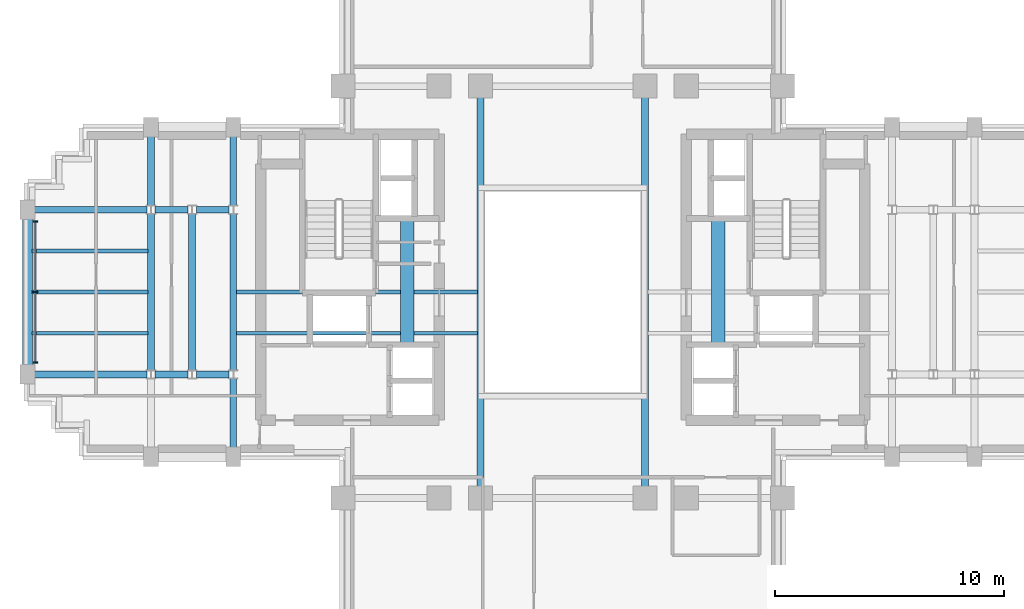
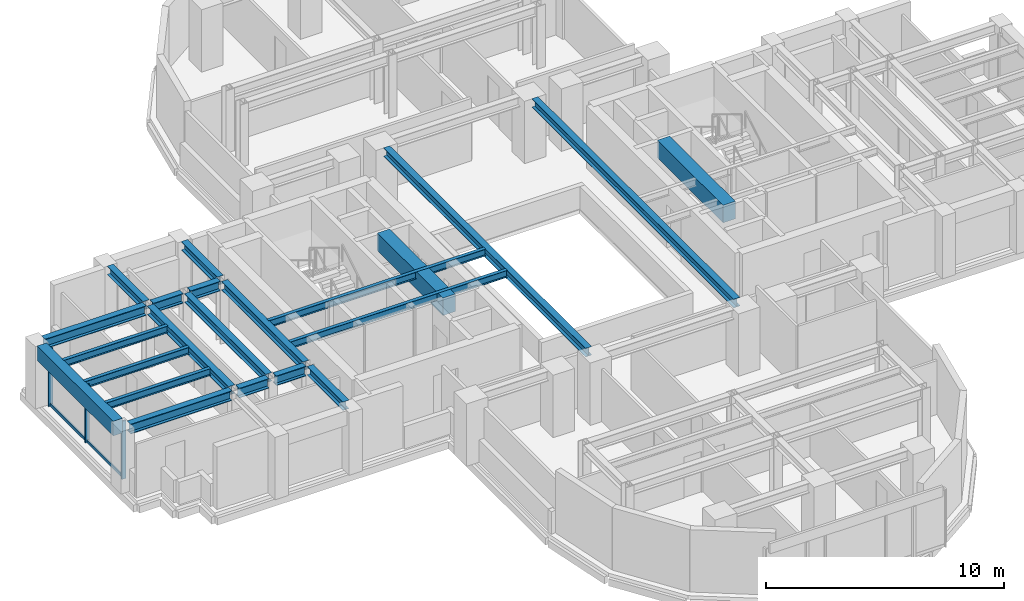
# One storey, part 4 of 14: 22 beams, 5 members, 1 element without a shape of its own.
"""IFC4 building model written with IfcOpenShell, lengths in metres."""

from ifc_helpers import new_model, si_unit, direction, frame, origin, origin_2d, place, context, subcontext, project, spatial, rectangle, i_section, extrude, source, transform, mapped, material, material_profile, profile_set, type_object, element, aggregate, save


model = new_model("IFC4")

# Units and contexts
model_context = context("Model", 3, precision=1e-05, world=origin(), true_north=direction((0.0, 1.0)))
body_context = subcontext(model_context, "Body", "Model", "MODEL_VIEW")
ifc_project = project(units=[si_unit("LENGTHUNIT", "METRE"), si_unit("AREAUNIT", "SQUARE_METRE"), si_unit("VOLUMEUNIT", "CUBIC_METRE"), si_unit("PLANEANGLEUNIT", "RADIAN"), si_unit("MASSUNIT", "GRAM", prefix="KILO")], contexts=[model_context])

# Site, building, storey
site_placement = place(None, origin())
site = spatial("IfcSite", under=ifc_project, at=site_placement, CompositionType="ELEMENT")
building_placement = place(site_placement, origin())
building = spatial("IfcBuilding", under=site, at=building_placement, Name="Keilestroom Media Tower", CompositionType="ELEMENT")
storey_placement = place(building_placement, frame((0.0, 0.0, 117.60009765625)))
storey = spatial("IfcBuildingStorey", under=building, at=storey_placement, Name="L31", CompositionType="ELEMENT", Elevation=117.60009765625)

# Beams
ifc_material_1 = material(Name="Concrete C70/85", Category="concrete")
ifc_material_profile_1 = material_profile(ifc_material_1, rectangle(XDim=0.60009765625, YDim=0.89990234375, at=origin_2d()), Name="RC 600x900")
ifc_profile_set_1 = profile_set([ifc_material_profile_1], Name="Concrete C70/85")
beam_type_1 = type_object("IfcBeamType", Name="Core-Coupling-Lintel-Beam-RC-600x900", PredefinedType="LINTEL", material=ifc_profile_set_1)
shared_shape_1 = source(origin(), body_context, "Body", "SweptSolid", [
    extrude(rectangle(XDim=0.60009765625, YDim=0.89990234375, at=origin_2d()), origin(), (0.0, 0.0, 1.0), 5.52001953125),
])
for number, where, z_axis, x_axis, name in (
    (1, (-6.800048828125, -2.300048828125, 2.75), (0.0, 1.0, 0.0), (-1.0, 0.0, 0.0), "L31 Beam CLB-1 CLB-L31-W"),
    (2, (6.800048828125, -2.300048828125, 2.75), (0.0, 1.0, 0.0), (-1.0, 0.0, 0.0), "L31 Beam CLB-1 CLB-L31-E"),
):
    element("IfcBeam", number, at=place(storey_placement, frame(where, z_axis=z_axis, x_axis=x_axis)), inside=storey, type_object=beam_type_1, Name=name, PredefinedType="LINTEL", context=body_context, shape_type="MappedRepresentation", body=[
        mapped(shared_shape_1, transform((0.0, 0.0, 0.0), x_axis=(1.0, 0.0, 0.0), y_axis=(0.0, 1.0, 0.0), z_axis=(0.0, 0.0, 1.0), scale=1.0)),
    ])
ifc_material_2 = material(Name="Steel S355", Category="steel")
ifc_material_profile_2 = material_profile(ifc_material_2, i_section(OverallWidth=0.169921875, OverallDepth=0.360107421875, WebThickness=0.008056640625, FlangeThickness=0.0126953125, at=origin_2d()), Name="IPE 360")
ifc_profile_set_2 = profile_set([ifc_material_profile_2], Name="Steel S355")
beam_type_2 = type_object("IfcBeamType", Name="Secondary-Floor-Joist-IPE-360", PredefinedType="JOIST", material=ifc_profile_set_2)
shared_shape_2 = source(origin(), body_context, "Body", "SweptSolid", [
    extrude(i_section(OverallWidth=0.169921875, OverallDepth=0.360107421875, WebThickness=0.008056640625, FlangeThickness=0.0126953125, at=origin_2d()), origin(), (0.0, 0.0, 1.0), 10.5400390625),
])
for number, where, z_axis, x_axis, name in (
    (3, (-14.27001953125, -1.800048828125, 3.02001953125), (1.0, 0.0, 0.0), (0.0, 1.0, 0.0), "L31 Beam BJ-5 JST-L31-072"),
    (4, (-14.27001953125, 0.0, 3.02001953125), (1.0, 0.0, 0.0), (0.0, 1.0, 0.0), "L31 Beam BJ-5 JST-L31-077"),
):
    element("IfcBeam", number, at=place(storey_placement, frame(where, z_axis=z_axis, x_axis=x_axis)), inside=storey, type_object=beam_type_2, Name=name, PredefinedType="JOIST", context=body_context, shape_type="MappedRepresentation", body=[
        mapped(shared_shape_2, transform((0.0, 0.0, 0.0), x_axis=(1.0, 0.0, 0.0), y_axis=(0.0, 1.0, 0.0), z_axis=(0.0, 0.0, 1.0), scale=1.0)),
    ])
ifc_material_profile_3 = material_profile(ifc_material_2, i_section(OverallWidth=0.300048828125, OverallDepth=0.5, WebThickness=0.012451171875, FlangeThickness=0.028076171875, at=origin_2d()), Name="HEB 500")
ifc_profile_set_3 = profile_set([ifc_material_profile_3], Name="Steel S355")
beam_type_3 = type_object("IfcBeamType", Name="Primary-Structural-Girder-HEB-500", PredefinedType="BEAM", material=ifc_profile_set_3)
shared_shape_3 = source(origin(), body_context, "Body", "SweptSolid", [
    extrude(i_section(OverallWidth=0.300048828125, OverallDepth=0.5, WebThickness=0.012451171875, FlangeThickness=0.028076171875, at=origin_2d()), origin(), (0.0, 0.0, 1.0), 4.91455078125),
])
for number, where, z_axis, x_axis, name in (
    (5, (-23.094970703125, -3.60009765625, 2.949951171875), (1.0, 0.0, 0.0), (0.0, 1.0, 0.0), "L31 Beam BG-6 BM-L31-EW-014"),
    (6, (-23.094970703125, 3.60009765625, 2.949951171875), (1.0, 0.0, 0.0), (0.0, 1.0, 0.0), "L31 Beam BG-6 BM-L31-EW-020"),
):
    element("IfcBeam", number, at=place(storey_placement, frame(where, z_axis=z_axis, x_axis=x_axis)), inside=storey, type_object=beam_type_3, Name=name, PredefinedType="BEAM", context=body_context, shape_type="MappedRepresentation", body=[
        mapped(shared_shape_3, transform((0.0, 0.0, 0.0), x_axis=(1.0, 0.0, 0.0), y_axis=(0.0, 1.0, 0.0), z_axis=(0.0, 0.0, 1.0), scale=1.0)),
    ])
shared_shape_4 = source(origin(), body_context, "Body", "SweptSolid", [
    extrude(i_section(OverallWidth=0.300048828125, OverallDepth=0.5, WebThickness=0.012451171875, FlangeThickness=0.028076171875, at=origin_2d()), origin(), (0.0, 0.0, 1.0), 1.43896484375),
])
for number, where, z_axis, x_axis, name in (
    (7, (-17.819580078125, -3.60009765625, 2.949951171875), (1.0, 0.0, 0.0), (0.0, 1.0, 0.0), "L31 Beam BG-6 BM-L31-EW-015"),
    (8, (-16.01953125, -3.60009765625, 2.949951171875), (1.0, 0.0, 0.0), (0.0, 1.0, 0.0), "L31 Beam BG-6 BM-L31-EW-016"),
    (9, (-17.819580078125, 3.60009765625, 2.949951171875), (1.0, 0.0, 0.0), (0.0, 1.0, 0.0), "L31 Beam BG-6 BM-L31-EW-021"),
    (10, (-16.01953125, 3.60009765625, 2.949951171875), (1.0, 0.0, 0.0), (0.0, 1.0, 0.0), "L31 Beam BG-6 BM-L31-EW-022"),
):
    element("IfcBeam", number, at=place(storey_placement, frame(where, z_axis=z_axis, x_axis=x_axis)), inside=storey, type_object=beam_type_3, Name=name, PredefinedType="BEAM", context=body_context, shape_type="MappedRepresentation", body=[
        mapped(shared_shape_4, transform((0.0, 0.0, 0.0), x_axis=(1.0, 0.0, 0.0), y_axis=(0.0, 1.0, 0.0), z_axis=(0.0, 0.0, 1.0), scale=1.0)),
    ])
ifc_material_3 = material(Name="Precast concrete C40/50", Category="concrete")
ifc_material_profile_4 = material_profile(ifc_material_3, rectangle(XDim=0.449951171875, YDim=0.75, at=origin_2d()), Name="PC 450x750")
ifc_profile_set_4 = profile_set([ifc_material_profile_4], Name="Precast concrete C40/50")
beam_type_4 = type_object("IfcBeamType", Name="Perimeter-Spandrel-Beam-PC-450x750", PredefinedType="SPANDREL", material=ifc_profile_set_4)
shared_shape_5 = source(origin(), body_context, "Body", "SweptSolid", [
    extrude(rectangle(XDim=0.449951171875, YDim=0.75, at=origin_2d()), origin(), (0.0, 0.0, 1.0), 6.39013671875),
])
beam_placement = place(storey_placement, frame((-23.39990234375, -3.195068359375, 2.824951171875), z_axis=(0.0, 1.0, 0.0), x_axis=(-1.0, 0.0, 0.0)))
element("IfcBeam", 11, at=beam_placement, inside=storey, type_object=beam_type_4, Name="L31 Beam SPB-1 BM-L31-NS-039", PredefinedType="SPANDREL", context=body_context, shape_type="MappedRepresentation", body=[
    mapped(shared_shape_5, transform((0.0, 0.0, 0.0), x_axis=(1.0, 0.0, 0.0), y_axis=(0.0, 1.0, 0.0), z_axis=(0.0, 0.0, 1.0), scale=1.0)),
])
shared_shape_6 = source(origin(), body_context, "Body", "SweptSolid", [
    extrude(i_section(OverallWidth=0.169921875, OverallDepth=0.360107421875, WebThickness=0.008056640625, FlangeThickness=0.0126953125, at=origin_2d()), origin(), (0.0, 0.0, 1.0), 5.065185546875),
])
for number, where, z_axis, x_axis, name in (
    (12, (-23.195068359375, -1.800048828125, 3.02001953125), (1.0, 0.0, 0.0), (0.0, 1.0, 0.0), "L31 Beam BJ-5 JST-L31-071"),
    (13, (-23.195068359375, 0.0, 3.02001953125), (1.0, 0.0, 0.0), (0.0, 1.0, 0.0), "L31 Beam BJ-5 JST-L31-076"),
    (14, (-23.195068359375, 1.800048828125, 3.02001953125), (1.0, 0.0, 0.0), (0.0, 1.0, 0.0), "L31 Beam BJ-5 JST-L31-081"),
):
    element("IfcBeam", number, at=place(storey_placement, frame(where, z_axis=z_axis, x_axis=x_axis)), inside=storey, type_object=beam_type_2, Name=name, PredefinedType="JOIST", context=body_context, shape_type="MappedRepresentation", body=[
        mapped(shared_shape_6, transform((0.0, 0.0, 0.0), x_axis=(1.0, 0.0, 0.0), y_axis=(0.0, 1.0, 0.0), z_axis=(0.0, 0.0, 1.0), scale=1.0)),
    ])
ifc_material_profile_5 = material_profile(ifc_material_2, i_section(OverallWidth=0.300048828125, OverallDepth=0.43994140625, WebThickness=0.011474609375, FlangeThickness=0.02099609375, at=origin_2d()), Name="HEA 450")
ifc_profile_set_5 = profile_set([ifc_material_profile_5], Name="Steel S355")
beam_type_5 = type_object("IfcBeamType", Name="Primary-Structural-Girder-HEA-450", PredefinedType="BEAM", material=ifc_profile_set_5)
shared_shape_7 = source(origin(), body_context, "Body", "SweptSolid", [
    extrude(i_section(OverallWidth=0.300048828125, OverallDepth=0.43994140625, WebThickness=0.011474609375, FlangeThickness=0.02099609375, at=origin_2d()), origin(), (0.0, 0.0, 1.0), 3.015380859375),
])
for number, where, z_axis, x_axis, name in (
    (15, (-18.0, 3.779541015625, 2.97998046875), (0.0, 1.0, 0.0), (-1.0, 0.0, 0.0), "L31 Beam BG-11 BM-L31-NS-042"),
    (16, (-14.39990234375, -6.794921875, 2.97998046875), (0.0, 1.0, 0.0), (-1.0, 0.0, 0.0), "L31 Beam BG-11 BM-L31-NS-044"),
    (17, (-14.39990234375, 3.779541015625, 2.97998046875), (0.0, 1.0, 0.0), (-1.0, 0.0, 0.0), "L31 Beam BG-11 BM-L31-NS-046"),
):
    element("IfcBeam", number, at=place(storey_placement, frame(where, z_axis=z_axis, x_axis=x_axis)), inside=storey, type_object=beam_type_5, Name=name, PredefinedType="BEAM", context=body_context, shape_type="MappedRepresentation", body=[
        mapped(shared_shape_7, transform((0.0, 0.0, 0.0), x_axis=(1.0, 0.0, 0.0), y_axis=(0.0, 1.0, 0.0), z_axis=(0.0, 0.0, 1.0), scale=1.0)),
    ])
shared_shape_8 = source(origin(), body_context, "Body", "SweptSolid", [
    extrude(i_section(OverallWidth=0.300048828125, OverallDepth=0.43994140625, WebThickness=0.011474609375, FlangeThickness=0.02099609375, at=origin_2d()), origin(), (0.0, 0.0, 1.0), 6.8408203125),
])
for number, where, z_axis, x_axis, name in (
    (18, (-18.0, -3.42041015625, 2.97998046875), (0.0, 1.0, 0.0), (-1.0, 0.0, 0.0), "L31 Beam BG-11 BM-L31-NS-041"),
    (19, (-16.199951171875, -3.42041015625, 2.97998046875), (0.0, 1.0, 0.0), (-1.0, 0.0, 0.0), "L31 Beam BG-11 BM-L31-NS-043"),
    (20, (-14.39990234375, -3.42041015625, 2.97998046875), (0.0, 1.0, 0.0), (-1.0, 0.0, 0.0), "L31 Beam BG-11 BM-L31-NS-045"),
):
    element("IfcBeam", number, at=place(storey_placement, frame(where, z_axis=z_axis, x_axis=x_axis)), inside=storey, type_object=beam_type_5, Name=name, PredefinedType="BEAM", context=body_context, shape_type="MappedRepresentation", body=[
        mapped(shared_shape_8, transform((0.0, 0.0, 0.0), x_axis=(1.0, 0.0, 0.0), y_axis=(0.0, 1.0, 0.0), z_axis=(0.0, 0.0, 1.0), scale=1.0)),
    ])
shared_shape_9 = source(origin(), body_context, "Body", "SweptSolid", [
    extrude(i_section(OverallWidth=0.300048828125, OverallDepth=0.43994140625, WebThickness=0.011474609375, FlangeThickness=0.02099609375, at=origin_2d()), origin(), (0.0, 0.0, 1.0), 16.990234375),
])
for number, where, z_axis, x_axis, name in (
    (21, (-3.60009765625, -8.4951171875, 2.97998046875), (0.0, 1.0, 0.0), (-1.0, 0.0, 0.0), "L31 Beam BG-11 BM-L31-NS-051"),
    (22, (3.60009765625, -8.4951171875, 2.97998046875), (0.0, 1.0, 0.0), (-1.0, 0.0, 0.0), "L31 Beam BG-11 BM-L31-NS-056"),
):
    element("IfcBeam", number, at=place(storey_placement, frame(where, z_axis=z_axis, x_axis=x_axis)), inside=storey, type_object=beam_type_5, Name=name, PredefinedType="BEAM", context=body_context, shape_type="MappedRepresentation", body=[
        mapped(shared_shape_9, transform((0.0, 0.0, 0.0), x_axis=(1.0, 0.0, 0.0), y_axis=(0.0, 1.0, 0.0), z_axis=(0.0, 0.0, 1.0), scale=1.0)),
    ])

# Curtain wall, members
ifc_material_4 = material(Name="Anodised Aluminium Alloy", Category="aluminium")
curtain_wall_type = type_object("IfcCurtainWallType", Name="Unitised-Curtain-Wall-CW-2", PredefinedType="NOTDEFINED", material=ifc_material_4)
curtain_wall_placement = place(storey_placement, origin())
curtain_wall = element("IfcCurtainWall", 23, at=curtain_wall_placement, inside=storey, type_object=curtain_wall_type, Name="L31 Curtain Wall CW-2 CW-L31-W-1", PredefinedType="NOTDEFINED")
ifc_material_profile_6 = material_profile(ifc_material_4, rectangle(XDim=0.070068359375, YDim=0.199951171875, at=origin_2d()), Name="ALU MULLION 70x200")
ifc_profile_set_6 = profile_set([ifc_material_profile_6], Name="Anodised Aluminium Alloy")
member_type_1 = type_object("IfcMemberType", Name="Curtain-Wall-Mullion-CW-2", PredefinedType="MULLION", material=ifc_profile_set_6)
shared_shape_10 = source(origin(), body_context, "Body", "SweptSolid", [
    extrude(rectangle(XDim=0.070068359375, YDim=0.199951171875, at=origin_2d()), origin(), (0.0, 0.0, 1.0), 2.97998046875),
])
member_1_placement = place(storey_placement, frame((-23.050048828125, -3.080078125, 0.0), z_axis=(0.0, 0.0, 1.0), x_axis=(0.0, 1.0, 0.0)))
member_1 = element("IfcMember", 24, at=member_1_placement, type_object=member_type_1, Name="CW-2 Mullion 00", PredefinedType="MULLION", context=body_context, shape_type="MappedRepresentation", body=[
    mapped(shared_shape_10, transform((0.0, 0.0, 0.0), x_axis=(1.0, 0.0, 0.0), y_axis=(0.0, 1.0, 0.0), z_axis=(0.0, 0.0, 1.0), scale=1.0)),
])
member_2_placement = place(storey_placement, frame((-23.050048828125, 0.0, 0.0), z_axis=(0.0, 0.0, 1.0), x_axis=(0.0, 1.0, 0.0)))
member_2 = element("IfcMember", 25, at=member_2_placement, type_object=member_type_1, Name="CW-2 Mullion 01", PredefinedType="MULLION", context=body_context, shape_type="MappedRepresentation", body=[
    mapped(shared_shape_10, transform((0.0, 0.0, 0.0), x_axis=(1.0, 0.0, 0.0), y_axis=(0.0, 1.0, 0.0), z_axis=(0.0, 0.0, 1.0), scale=1.0)),
])
member_3_placement = place(storey_placement, frame((-23.050048828125, 3.080078125, 0.0), z_axis=(0.0, 0.0, 1.0), x_axis=(0.0, 1.0, 0.0)))
member_3 = element("IfcMember", 26, at=member_3_placement, type_object=member_type_1, Name="CW-2 Mullion 02", PredefinedType="MULLION", context=body_context, shape_type="MappedRepresentation", body=[
    mapped(shared_shape_10, transform((0.0, 0.0, 0.0), x_axis=(1.0, 0.0, 0.0), y_axis=(0.0, 1.0, 0.0), z_axis=(0.0, 0.0, 1.0), scale=1.0)),
])
ifc_material_profile_7 = material_profile(ifc_material_4, rectangle(XDim=0.06494140625, YDim=0.14990234375, at=origin_2d()), Name="ALU TRANSOM 65x150")
ifc_profile_set_7 = profile_set([ifc_material_profile_7], Name="Anodised Aluminium Alloy")
member_type_2 = type_object("IfcMemberType", Name="Curtain-Wall-Transom-CW-2", PredefinedType="USERDEFINED", material=ifc_profile_set_7)
shared_shape_11 = source(origin(), body_context, "Body", "SweptSolid", [
    extrude(rectangle(XDim=0.06494140625, YDim=0.14990234375, at=origin_2d()), origin(), (0.0, 0.0, 1.0), 3.01416015625),
])
member_4_placement = place(storey_placement, frame((-23.050048828125, -3.047119140625, 0.074951171875), z_axis=(0.0, 1.0, 0.0), x_axis=(-1.0, 0.0, 0.0)))
member_4 = element("IfcMember", 27, at=member_4_placement, type_object=member_type_2, Name="CW-2 Transom 00.1", ObjectType="TRANSOM", PredefinedType="USERDEFINED", context=body_context, shape_type="MappedRepresentation", body=[
    mapped(shared_shape_11, transform((0.0, 0.0, 0.0), x_axis=(1.0, 0.0, 0.0), y_axis=(0.0, 1.0, 0.0), z_axis=(0.0, 0.0, 1.0), scale=1.0)),
])
member_5_placement = place(storey_placement, frame((-23.050048828125, 0.032958984375, 0.074951171875), z_axis=(0.0, 1.0, 0.0), x_axis=(-1.0, 0.0, 0.0)))
member_5 = element("IfcMember", 28, at=member_5_placement, type_object=member_type_2, Name="CW-2 Transom 01.1", ObjectType="TRANSOM", PredefinedType="USERDEFINED", context=body_context, shape_type="MappedRepresentation", body=[
    mapped(shared_shape_11, transform((0.0, 0.0, 0.0), x_axis=(1.0, 0.0, 0.0), y_axis=(0.0, 1.0, 0.0), z_axis=(0.0, 0.0, 1.0), scale=1.0)),
])
aggregate(curtain_wall, [member_1, member_2, member_3, member_4, member_5])

save(model, "model.ifc")
